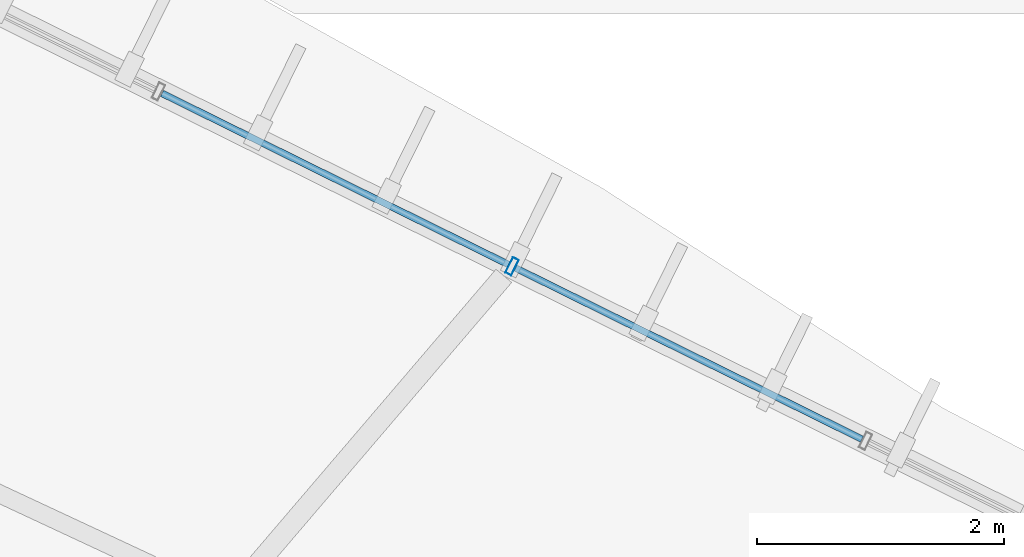
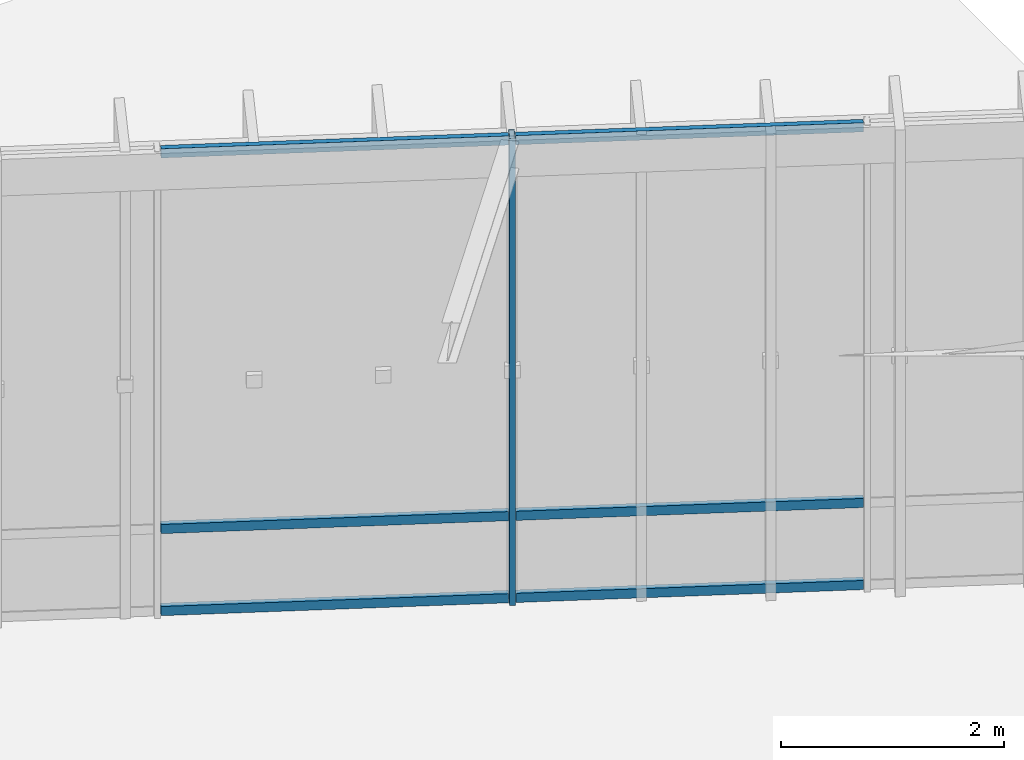
# One storey, part 84 of 157: 7 members, 1 element without a shape of its own.
"""IFC4 building model written with IfcOpenShell, lengths in metres."""

from ifc_helpers import new_model, si_unit, direction, frame, origin, origin_2d, place, context, subcontext, project, spatial, hollow_rectangle, extrude, material, material_profile, profile_set, type_object, element, aggregate, save


model = new_model("IFC4")

# Units and contexts
model_context = context("Model", 3, precision=1e-05, world=origin(), true_north=direction((0.0, 1.0)))
body_context = subcontext(model_context, "Body", "Model", "MODEL_VIEW")
ifc_project = project(units=[si_unit("LENGTHUNIT", "METRE"), si_unit("AREAUNIT", "SQUARE_METRE"), si_unit("VOLUMEUNIT", "CUBIC_METRE"), si_unit("PLANEANGLEUNIT", "RADIAN"), si_unit("MASSUNIT", "GRAM", prefix="KILO"), si_unit("THERMODYNAMICTEMPERATUREUNIT", "KELVIN"), si_unit("POWERUNIT", "WATT")], contexts=[model_context])

# Site, building, storey
site_placement = place(None, origin())
site = spatial("IfcSite", under=ifc_project, at=site_placement, CompositionType="ELEMENT")
building_placement = place(site_placement, origin())
building = spatial("IfcBuilding", under=site, at=building_placement, Name="Darbajah Civic Hall", CompositionType="ELEMENT")
storey_placement = place(building_placement, origin())
storey = spatial("IfcBuildingStorey", under=building, at=storey_placement, Name="L00", CompositionType="ELEMENT", Elevation=0.0)

# Curtain wall, members
ifc_material_1 = material(Name="Anodised Bronze Aluminium and Low-E Glazing", Category="aluminium")
curtain_wall_type = type_object("IfcCurtainWallType", Name="Unitised Curtain Wall CW-02 12800x5100", PredefinedType="USERDEFINED", material=ifc_material_1)
curtain_wall_placement = place(storey_placement, origin())
curtain_wall = element("IfcCurtainWall", 1, at=curtain_wall_placement, inside=storey, type_object=curtain_wall_type, Name="L00 unitised curtain wall CW-V1O-L00-02", ObjectType="UNITISED CURTAIN WALL", PredefinedType="USERDEFINED")
ifc_material_2 = material(Name="Anodised Bronze Aluminium", Category="aluminium")
ifc_material_profile_1 = material_profile(ifc_material_2, hollow_rectangle(XDim=0.054931640625, YDim=0.139892578125, WallThickness=0.003173828125, at=origin_2d()), Name="ALU MULLION 55x140")
ifc_profile_set_1 = profile_set([ifc_material_profile_1], Name="Anodised Bronze Aluminium")
member_type_1 = type_object("IfcMemberType", Name="ALU MULLION 55x140", PredefinedType="MULLION", material=ifc_profile_set_1)
member_1_placement = place(storey_placement, frame((121.814208984375, 111.955810546875, 0.0), z_axis=(0.0, 0.0, 1.0), x_axis=(-0.89656374724, 0.442914717678, 0.0)))
member_1 = element("IfcMember", 2, at=member_1_placement, type_object=member_type_1, Name="CW-V1O-L00-02 mullion 3", PredefinedType="MULLION", context=body_context, shape_type="SweptSolid", body=[
    extrude(hollow_rectangle(XDim=0.054931640625, YDim=0.139892578125, WallThickness=0.003173828125, at=origin_2d()), origin(), (0.0, 0.0, 1.0), 5.1201171875),
])
ifc_material_profile_2 = material_profile(ifc_material_2, hollow_rectangle(XDim=0.054931640625, YDim=0.10009765625, WallThickness=0.0029296875, at=origin_2d()), Name="ALU TRANSOM 55x100")
ifc_profile_set_2 = profile_set([ifc_material_profile_2], Name="Anodised Bronze Aluminium")
member_type_2 = type_object("IfcMemberType", Name="ALU TRANSOM 55x100", PredefinedType="USERDEFINED", material=ifc_profile_set_2)
member_2_placement = place(storey_placement, frame((124.649169921875, 110.55517578125, 0.050048828125), z_axis=(-0.89655441453, 0.442933608779, 0.0), x_axis=(-0.442933608779, -0.89655441453, 0.0)))
member_2 = element("IfcMember", 3, at=member_2_placement, type_object=member_type_2, Name="CW-V1O-L00-02 transom 2.1", ObjectType="TRANSOM", PredefinedType="USERDEFINED", context=body_context, shape_type="SweptSolid", body=[
    extrude(hollow_rectangle(XDim=0.054931640625, YDim=0.10009765625, WallThickness=0.0029296875, at=origin_2d()), origin(), (0.0, 0.0, 1.0), 3.129638671875),
])
member_3_placement = place(storey_placement, frame((124.649169921875, 110.55517578125, 0.949951171875), z_axis=(-0.89655441453, 0.442933608779, 0.0), x_axis=(-0.442933608779, -0.89655441453, 0.0)))
member_3 = element("IfcMember", 4, at=member_3_placement, type_object=member_type_2, Name="CW-V1O-L00-02 transom 2.2", ObjectType="TRANSOM", PredefinedType="USERDEFINED", context=body_context, shape_type="SweptSolid", body=[
    extrude(hollow_rectangle(XDim=0.054931640625, YDim=0.10009765625, WallThickness=0.0029296875, at=origin_2d()), origin(), (0.0, 0.0, 1.0), 3.129638671875),
])
member_4_placement = place(storey_placement, frame((124.649169921875, 110.55517578125, 5.070068359375), z_axis=(-0.89655441453, 0.442933608779, 0.0), x_axis=(-0.442933608779, -0.89655441453, 0.0)))
member_4 = element("IfcMember", 5, at=member_4_placement, type_object=member_type_2, Name="CW-V1O-L00-02 transom 2.3", ObjectType="TRANSOM", PredefinedType="USERDEFINED", context=body_context, shape_type="SweptSolid", body=[
    extrude(hollow_rectangle(XDim=0.054931640625, YDim=0.10009765625, WallThickness=0.0029296875, at=origin_2d()), origin(), (0.0, 0.0, 1.0), 3.129638671875),
])
member_5_placement = place(storey_placement, frame((121.784912109375, 111.97021484375, 0.050048828125), z_axis=(-0.89655441453, 0.442933608779, 0.0), x_axis=(-0.442933608779, -0.89655441453, 0.0)))
member_5 = element("IfcMember", 6, at=member_5_placement, type_object=member_type_2, Name="CW-V1O-L00-02 transom 3.1", ObjectType="TRANSOM", PredefinedType="USERDEFINED", context=body_context, shape_type="SweptSolid", body=[
    extrude(hollow_rectangle(XDim=0.054931640625, YDim=0.10009765625, WallThickness=0.0029296875, at=origin_2d()), origin(), (0.0, 0.0, 1.0), 3.129638671875),
])
member_6_placement = place(storey_placement, frame((121.784912109375, 111.97021484375, 0.949951171875), z_axis=(-0.89655441453, 0.442933608779, 0.0), x_axis=(-0.442933608779, -0.89655441453, 0.0)))
member_6 = element("IfcMember", 7, at=member_6_placement, type_object=member_type_2, Name="CW-V1O-L00-02 transom 3.2", ObjectType="TRANSOM", PredefinedType="USERDEFINED", context=body_context, shape_type="SweptSolid", body=[
    extrude(hollow_rectangle(XDim=0.054931640625, YDim=0.10009765625, WallThickness=0.0029296875, at=origin_2d()), origin(), (0.0, 0.0, 1.0), 3.129638671875),
])
member_7_placement = place(storey_placement, frame((121.784912109375, 111.97021484375, 5.070068359375), z_axis=(-0.89655441453, 0.442933608779, 0.0), x_axis=(-0.442933608779, -0.89655441453, 0.0)))
member_7 = element("IfcMember", 8, at=member_7_placement, type_object=member_type_2, Name="CW-V1O-L00-02 transom 3.3", ObjectType="TRANSOM", PredefinedType="USERDEFINED", context=body_context, shape_type="SweptSolid", body=[
    extrude(hollow_rectangle(XDim=0.054931640625, YDim=0.10009765625, WallThickness=0.0029296875, at=origin_2d()), origin(), (0.0, 0.0, 1.0), 3.129638671875),
])
aggregate(curtain_wall, [member_1, member_2, member_3, member_4, member_5, member_6, member_7])

save(model, "model.ifc")
